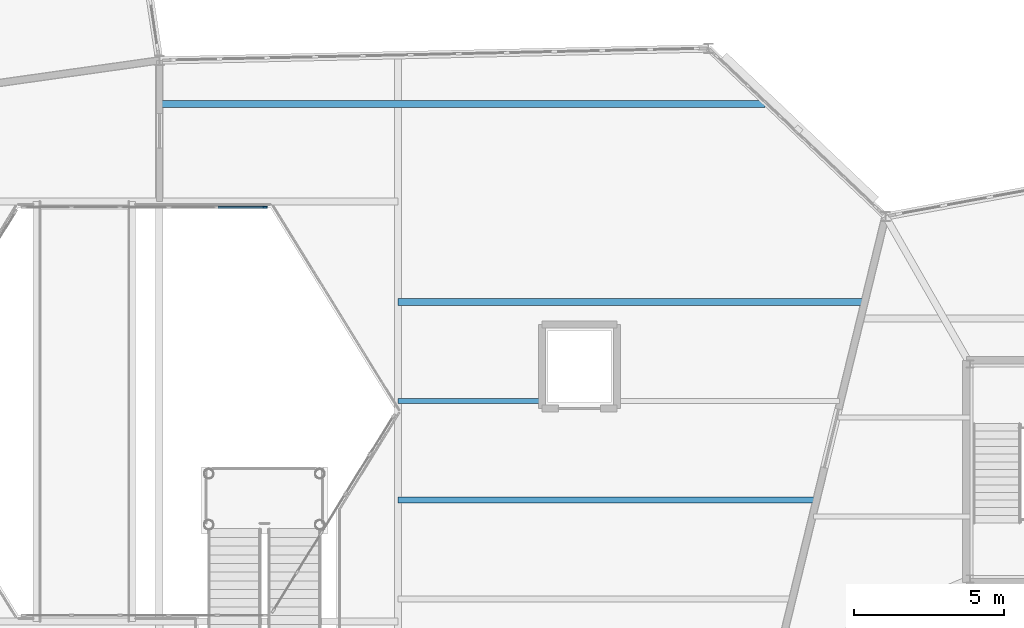
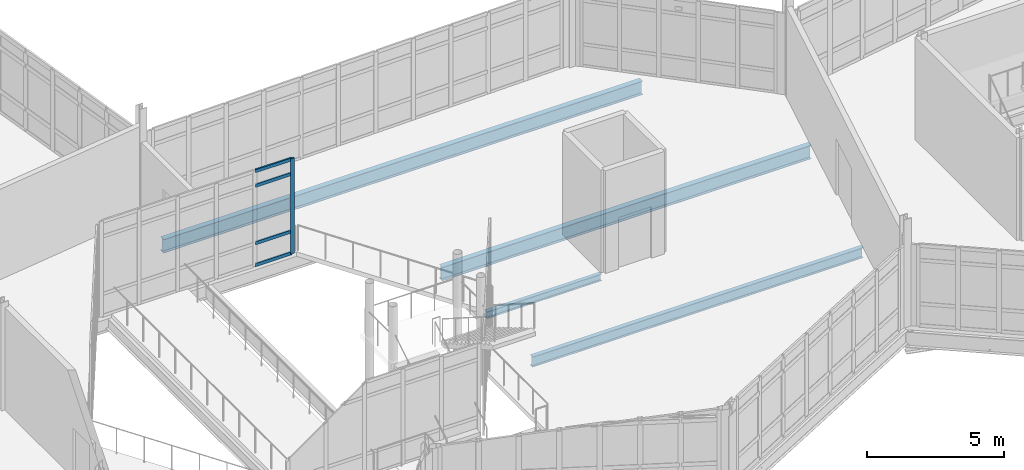
# One storey, part 36 of 114: 5 members, 4 beams, 1 element without a shape of its own.
"""IFC4 building model written with IfcOpenShell, lengths in metres."""

from ifc_helpers import new_model, si_unit, direction, frame, origin, origin_2d, place, context, subcontext, project, spatial, rectangle, i_section, extrude, material, material_profile, profile_set, type_object, element, aggregate, save


model = new_model("IFC4")

# Units and contexts
model_context = context("Model", 3, precision=1e-05, world=origin(), true_north=direction((0.0, 1.0)))
body_context = subcontext(model_context, "Body", "Model", "MODEL_VIEW")
ifc_project = project(units=[si_unit("LENGTHUNIT", "METRE"), si_unit("AREAUNIT", "SQUARE_METRE"), si_unit("VOLUMEUNIT", "CUBIC_METRE"), si_unit("PLANEANGLEUNIT", "RADIAN"), si_unit("MASSUNIT", "GRAM", prefix="KILO")], contexts=[model_context])

# Site, building, storey
site_placement = place(None, origin())
site = spatial("IfcSite", under=ifc_project, at=site_placement, CompositionType="ELEMENT")
building_placement = place(site_placement, origin())
building = spatial("IfcBuilding", under=site, at=building_placement, Name="Tameran Prism Museum", CompositionType="ELEMENT")
storey_placement = place(building_placement, frame((0.0, 0.0, 10.199951171875)))
storey = spatial("IfcBuildingStorey", under=building, at=storey_placement, Name="L02", CompositionType="ELEMENT", Elevation=10.199951171875)

# Beams
ifc_material_1 = material(Name="Steel Grade 300PLUS (300 MPa)", Category="steel")
ifc_material_profile_1 = material_profile(ifc_material_1, i_section(OverallWidth=0.1650390625, OverallDepth=0.303955078125, WebThickness=0.006103515625, FlangeThickness=0.01025390625, FilletRadius=0.011474609375, at=origin_2d()))
ifc_profile_set_1 = profile_set([ifc_material_profile_1])
beam_type_1 = type_object("IfcBeamType", Name="BM-J310B", PredefinedType="JOIST", material=ifc_profile_set_1)
beam_1_placement = place(storey_placement, frame((85.449951171875, 36.85009765625, -0.35205078125), z_axis=(1.0, 0.0, 0.0), x_axis=(0.0, 1.0, 0.0)))
element("IfcBeam", 1, at=beam_1_placement, inside=storey, type_object=beam_type_1, Name="Floor Beam BM-0858", PredefinedType="JOIST", context=body_context, shape_type="SweptSolid", body=[
    extrude(i_section(OverallWidth=0.1650390625, OverallDepth=0.303955078125, WebThickness=0.006103515625, FlangeThickness=0.01025390625, FilletRadius=0.011474609375, at=origin_2d()), origin(), (0.0, 0.0, 1.0), 4.820068359375),
])
ifc_material_2 = material(Name="Steel Grade 300PLUS (300 MPa)", Category="steel")
ifc_material_profile_2 = material_profile(ifc_material_2, i_section(OverallWidth=0.18994140625, OverallDepth=0.4541015625, WebThickness=0.008544921875, FlangeThickness=0.0126953125, FilletRadius=0.011474609375, at=origin_2d()))
ifc_profile_set_2 = profile_set([ifc_material_profile_2])
beam_type_2 = type_object("IfcBeamType", Name="BM-J460B", PredefinedType="JOIST", material=ifc_profile_set_2)
beam_2_placement = place(storey_placement, frame((85.449951171875, 33.550048828125, -0.427001953125), z_axis=(1.0, 0.0, 0.0), x_axis=(0.0, 1.0, 0.0)))
element("IfcBeam", 2, at=beam_2_placement, inside=storey, type_object=beam_type_2, Name="Floor Beam BM-0857", PredefinedType="JOIST", context=body_context, shape_type="SweptSolid", body=[
    extrude(i_section(OverallWidth=0.18994140625, OverallDepth=0.4541015625, WebThickness=0.008544921875, FlangeThickness=0.0126953125, FilletRadius=0.011474609375, at=origin_2d()), origin(), (0.0, 0.0, 1.0), 13.91015625),
])
ifc_material_3 = material(Name="Steel Grade 300PLUS (300 MPa)", Category="steel")
ifc_material_profile_3 = material_profile(ifc_material_3, i_section(OverallWidth=0.22802734375, OverallDepth=0.60693359375, WebThickness=0.01123046875, FlangeThickness=0.017333984375, FilletRadius=0.013916015625, at=origin_2d()))
ifc_profile_set_3 = profile_set([ifc_material_profile_3])
beam_type_3 = type_object("IfcBeamType", Name="BM-UB610B", PredefinedType="BEAM", material=ifc_profile_set_3)
beam_3_placement = place(storey_placement, frame((85.449951171875, 40.14990234375, -0.50341796875), z_axis=(1.0, 0.0, 0.0), x_axis=(0.0, 1.0, 0.0)))
element("IfcBeam", 3, at=beam_3_placement, inside=storey, type_object=beam_type_3, Name="Floor Beam BM-0860", PredefinedType="BEAM", context=body_context, shape_type="SweptSolid", body=[
    extrude(i_section(OverallWidth=0.22802734375, OverallDepth=0.60693359375, WebThickness=0.01123046875, FlangeThickness=0.017333984375, FilletRadius=0.013916015625, at=origin_2d()), origin(), (0.0, 0.0, 1.0), 15.51611328125),
])
beam_4_placement = place(storey_placement, frame((77.5400390625, 46.75, -0.50341796875), z_axis=(1.0, 0.0, 0.0), x_axis=(0.0, 1.0, 0.0)))
element("IfcBeam", 4, at=beam_4_placement, inside=storey, type_object=beam_type_3, Name="Floor Beam BM-0861", PredefinedType="BEAM", context=body_context, shape_type="SweptSolid", body=[
    extrude(i_section(OverallWidth=0.22802734375, OverallDepth=0.60693359375, WebThickness=0.01123046875, FlangeThickness=0.017333984375, FilletRadius=0.013916015625, at=origin_2d()), origin(), (0.0, 0.0, 1.0), 20.15087890625),
])

# Curtain wall, members
ifc_material_4 = material(Name="Anodised Aluminium 6063-T6 and Cyclone Solar Glass", Category="aluminium")
curtain_wall_type = type_object("IfcCurtainWallType", Name="CW-ATR-810x424", PredefinedType="USERDEFINED", material=ifc_material_4)
curtain_wall_placement = place(storey_placement, origin())
curtain_wall = element("IfcCurtainWall", 5, at=curtain_wall_placement, inside=storey, type_object=curtain_wall_type, Name="Unitised Curtain Wall CW-009", ObjectType="UNITISED CURTAIN WALL", PredefinedType="USERDEFINED")
ifc_material_5 = material(Name="Anodised Aluminium Alloy 6063-T6", Category="aluminium")
ifc_material_profile_4 = material_profile(ifc_material_5, rectangle(XDim=0.06494140625, YDim=0.159912109375, at=origin_2d()))
ifc_profile_set_4 = profile_set([ifc_material_profile_4])
member_type_1 = type_object("IfcMemberType", Name="CW-MUL-A", PredefinedType="MULLION", material=ifc_profile_set_4)
member_1_placement = place(storey_placement, frame((81.017578125, 43.300048828125, 0.0), z_axis=(0.0, 0.0, 1.0), x_axis=(0.0, -1.0, 0.0)))
member_1 = element("IfcMember", 6, at=member_1_placement, type_object=member_type_1, Name="CW-009 mullion 1", PredefinedType="MULLION", context=body_context, shape_type="SweptSolid", body=[
    extrude(rectangle(XDim=0.06494140625, YDim=0.159912109375, at=origin_2d()), origin(), (0.0, 0.0, 1.0), 4.239990234375),
])
ifc_material_6 = material(Name="Anodised Aluminium Alloy 6063-T6", Category="aluminium")
ifc_material_profile_5 = material_profile(ifc_material_6, rectangle(XDim=0.06494140625, YDim=0.139892578125, at=origin_2d()))
ifc_profile_set_5 = profile_set([ifc_material_profile_5])
member_type_2 = type_object("IfcMemberType", Name="CW-TRN-A", PredefinedType="USERDEFINED", material=ifc_profile_set_5)
member_2_placement = place(storey_placement, frame((80.985107421875, 43.300048828125, 0.032470703125), z_axis=(-1.0, 0.0, 0.0), x_axis=(0.0, -1.0, 0.0)))
member_2 = element("IfcMember", 7, at=member_2_placement, type_object=member_type_2, Name="CW-009 transom 1.1", ObjectType="TRANSOM", PredefinedType="USERDEFINED", context=body_context, shape_type="SweptSolid", body=[
    extrude(rectangle(XDim=0.06494140625, YDim=0.139892578125, at=origin_2d()), origin(), (0.0, 0.0, 1.0), 1.522705078125),
])
member_3_placement = place(storey_placement, frame((80.985107421875, 43.300048828125, 1.0), z_axis=(-1.0, 0.0, 0.0), x_axis=(0.0, -1.0, 0.0)))
member_3 = element("IfcMember", 8, at=member_3_placement, type_object=member_type_2, Name="CW-009 transom 1.2", ObjectType="TRANSOM", PredefinedType="USERDEFINED", context=body_context, shape_type="SweptSolid", body=[
    extrude(rectangle(XDim=0.06494140625, YDim=0.139892578125, at=origin_2d()), origin(), (0.0, 0.0, 1.0), 1.522705078125),
])
member_4_placement = place(storey_placement, frame((80.985107421875, 43.300048828125, 3.56005859375), z_axis=(-1.0, 0.0, 0.0), x_axis=(0.0, -1.0, 0.0)))
member_4 = element("IfcMember", 9, at=member_4_placement, type_object=member_type_2, Name="CW-009 transom 1.3", ObjectType="TRANSOM", PredefinedType="USERDEFINED", context=body_context, shape_type="SweptSolid", body=[
    extrude(rectangle(XDim=0.06494140625, YDim=0.139892578125, at=origin_2d()), origin(), (0.0, 0.0, 1.0), 1.522705078125),
])
member_5_placement = place(storey_placement, frame((80.985107421875, 43.300048828125, 4.20751953125), z_axis=(-1.0, 0.0, 0.0), x_axis=(0.0, -1.0, 0.0)))
member_5 = element("IfcMember", 10, at=member_5_placement, type_object=member_type_2, Name="CW-009 transom 1.4", ObjectType="TRANSOM", PredefinedType="USERDEFINED", context=body_context, shape_type="SweptSolid", body=[
    extrude(rectangle(XDim=0.06494140625, YDim=0.139892578125, at=origin_2d()), origin(), (0.0, 0.0, 1.0), 1.522705078125),
])
aggregate(curtain_wall, [member_1, member_2, member_3, member_4, member_5])

save(model, "model.ifc")
